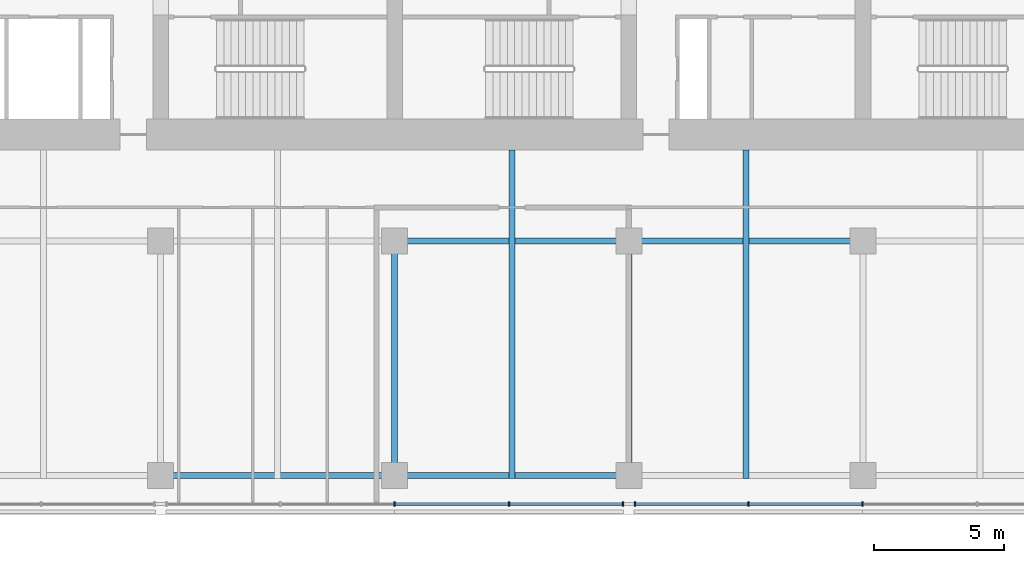
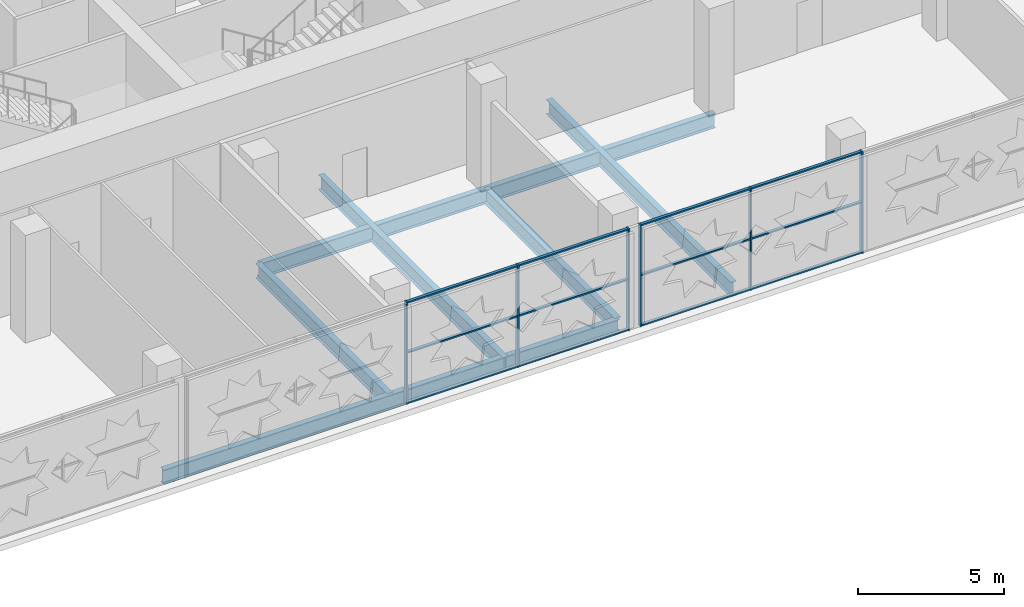
# One storey, part 5 of 21: 18 members, 6 beams, 2 elements without a shape of their own.
"""IFC4 building model written with IfcOpenShell, lengths in metres."""

from ifc_helpers import new_model, si_unit, direction, frame, origin, origin_2d, place, context, subcontext, project, spatial, rectangle, i_section, extrude, material, material_profile, profile_set, type_object, element, aggregate, save


model = new_model("IFC4")

# Units and contexts
model_context = context("Model", 3, precision=1e-05, world=origin(), true_north=direction((0.0, 1.0)))
body_context = subcontext(model_context, "Body", "Model", "MODEL_VIEW")
ifc_project = project(units=[si_unit("LENGTHUNIT", "METRE"), si_unit("AREAUNIT", "SQUARE_METRE"), si_unit("VOLUMEUNIT", "CUBIC_METRE"), si_unit("PLANEANGLEUNIT", "RADIAN"), si_unit("MASSUNIT", "GRAM", prefix="KILO")], contexts=[model_context])

# Site, building, storey
site_placement = place(None, origin())
site = spatial("IfcSite", under=ifc_project, at=site_placement, CompositionType="ELEMENT")
building_placement = place(site_placement, origin())
building = spatial("IfcBuilding", under=site, at=building_placement, Name="Zellij Exchange Tower", CompositionType="ELEMENT")
storey_placement = place(building_placement, frame((0.0, 0.0, 43.5)))
storey = spatial("IfcBuildingStorey", under=building, at=storey_placement, Name="L07", CompositionType="ELEMENT", Elevation=43.5)

# Curtain wall, members
ifc_material_1 = material(Name="Aluminium frame, clear insulating glass", Category="aluminium")
curtain_wall_type = type_object("IfcCurtainWallType", Name="ENV-CW1 Sky-garden glazing", PredefinedType="NOTDEFINED", material=ifc_material_1)
curtain_wall_1_placement = place(storey_placement, origin())
curtain_wall_1 = element("IfcCurtainWall", 1, at=curtain_wall_1_placement, inside=storey, type_object=curtain_wall_type, Name="cw.L07.00b", PredefinedType="NOTDEFINED")
ifc_material_2 = material(Name="Aluminium", Category="aluminium")
ifc_material_profile_1 = material_profile(ifc_material_2, rectangle(XDim=0.06005859375, YDim=0.159912109375, at=origin_2d()), Name="AL 60x160")
ifc_profile_set_1 = profile_set([ifc_material_profile_1], Name="Aluminium")
member_type_1 = type_object("IfcMemberType", Name="ENV-CW1M Mullion 60x160", PredefinedType="MULLION", material=ifc_profile_set_1)
member_1_placement = place(storey_placement, frame((0.0, -27.60009765625, 0.0), z_axis=(0.0, 0.0, 1.0), x_axis=(1.0, 0.0, 0.0)))
member_1 = element("IfcMember", 2, at=member_1_placement, type_object=member_type_1, Name="CW1 mullion 3", PredefinedType="MULLION", context=body_context, shape_type="SweptSolid", body=[
    extrude(rectangle(XDim=0.06005859375, YDim=0.159912109375, at=origin_2d()), origin(), (0.0, 0.0, 1.0), 4.25),
])
member_2_placement = place(storey_placement, frame((4.39990234375, -27.60009765625, 0.0), z_axis=(0.0, 0.0, 1.0), x_axis=(1.0, 0.0, 0.0)))
member_2 = element("IfcMember", 3, at=member_2_placement, type_object=member_type_1, Name="CW1 mullion 4", PredefinedType="MULLION", context=body_context, shape_type="SweptSolid", body=[
    extrude(rectangle(XDim=0.06005859375, YDim=0.159912109375, at=origin_2d()), origin(), (0.0, 0.0, 1.0), 4.25),
])
member_3_placement = place(storey_placement, frame((8.77001953125, -27.60009765625, 0.0), z_axis=(0.0, 0.0, 1.0), x_axis=(1.0, 0.0, 0.0)))
member_3 = element("IfcMember", 4, at=member_3_placement, type_object=member_type_1, Name="CW1 mullion 5", PredefinedType="MULLION", context=body_context, shape_type="SweptSolid", body=[
    extrude(rectangle(XDim=0.06005859375, YDim=0.159912109375, at=origin_2d()), origin(), (0.0, 0.0, 1.0), 4.25),
])

curtain_wall_2_placement = place(storey_placement, origin())
curtain_wall_2 = element("IfcCurtainWall", 5, at=curtain_wall_2_placement, inside=storey, type_object=curtain_wall_type, Name="cw.L07.00c", PredefinedType="NOTDEFINED")
member_4_placement = place(storey_placement, frame((9.22998046875, -27.60009765625, 0.0), z_axis=(0.0, 0.0, 1.0), x_axis=(1.0, 0.0, 0.0)))
member_4 = element("IfcMember", 6, at=member_4_placement, type_object=member_type_1, Name="CW1 mullion 1", PredefinedType="MULLION", context=body_context, shape_type="SweptSolid", body=[
    extrude(rectangle(XDim=0.06005859375, YDim=0.159912109375, at=origin_2d()), origin(), (0.0, 0.0, 1.0), 4.25),
])
member_5_placement = place(storey_placement, frame((13.593505859375, -27.60009765625, 0.0), z_axis=(0.0, 0.0, 1.0), x_axis=(1.0, 0.0, 0.0)))
member_5 = element("IfcMember", 7, at=member_5_placement, type_object=member_type_1, Name="CW1 mullion 2", PredefinedType="MULLION", context=body_context, shape_type="SweptSolid", body=[
    extrude(rectangle(XDim=0.06005859375, YDim=0.159912109375, at=origin_2d()), origin(), (0.0, 0.0, 1.0), 4.25),
])
member_6_placement = place(storey_placement, frame((17.98681640625, -27.60009765625, 0.0), z_axis=(0.0, 0.0, 1.0), x_axis=(1.0, 0.0, 0.0)))
member_6 = element("IfcMember", 8, at=member_6_placement, type_object=member_type_1, Name="CW1 mullion 3", PredefinedType="MULLION", context=body_context, shape_type="SweptSolid", body=[
    extrude(rectangle(XDim=0.06005859375, YDim=0.159912109375, at=origin_2d()), origin(), (0.0, 0.0, 1.0), 4.25),
])

# Member
ifc_material_profile_2 = material_profile(ifc_material_2, rectangle(XDim=0.1201171875, YDim=0.06005859375, at=origin_2d()), Name="AL 120x60")
ifc_profile_set_2 = profile_set([ifc_material_profile_2], Name="Aluminium")
member_type_2 = type_object("IfcMemberType", Name="ENV-CW1T Transom 120x60", PredefinedType="USERDEFINED", material=ifc_profile_set_2)
member_7_placement = place(storey_placement, frame((0.030029296875, -27.60009765625, 0.030029296875), z_axis=(1.0, 0.0, 0.0), x_axis=(0.0, 1.0, 0.0)))
member_7 = element("IfcMember", 9, at=member_7_placement, type_object=member_type_2, Name="CW1 transom 3.1", ObjectType="TRANSOM", PredefinedType="USERDEFINED", context=body_context, shape_type="SweptSolid", body=[
    extrude(rectangle(XDim=0.1201171875, YDim=0.06005859375, at=origin_2d()), origin(), (0.0, 0.0, 1.0), 4.340087890625),
])

member_8_placement = place(storey_placement, frame((0.030029296875, -27.60009765625, 2.125), z_axis=(1.0, 0.0, 0.0), x_axis=(0.0, 1.0, 0.0)))
member_8 = element("IfcMember", 10, at=member_8_placement, type_object=member_type_2, Name="CW1 transom 3.2", ObjectType="TRANSOM", PredefinedType="USERDEFINED", context=body_context, shape_type="SweptSolid", body=[
    extrude(rectangle(XDim=0.1201171875, YDim=0.06005859375, at=origin_2d()), origin(), (0.0, 0.0, 1.0), 4.340087890625),
])

member_9_placement = place(storey_placement, frame((0.030029296875, -27.60009765625, 4.219970703125), z_axis=(1.0, 0.0, 0.0), x_axis=(0.0, 1.0, 0.0)))
member_9 = element("IfcMember", 11, at=member_9_placement, type_object=member_type_2, Name="CW1 transom 3.3", ObjectType="TRANSOM", PredefinedType="USERDEFINED", context=body_context, shape_type="SweptSolid", body=[
    extrude(rectangle(XDim=0.1201171875, YDim=0.06005859375, at=origin_2d()), origin(), (0.0, 0.0, 1.0), 4.340087890625),
])

member_10_placement = place(storey_placement, frame((4.429931640625, -27.60009765625, 0.030029296875), z_axis=(1.0, 0.0, 0.0), x_axis=(0.0, 1.0, 0.0)))
member_10 = element("IfcMember", 12, at=member_10_placement, type_object=member_type_2, Name="CW1 transom 4.1", ObjectType="TRANSOM", PredefinedType="USERDEFINED", context=body_context, shape_type="SweptSolid", body=[
    extrude(rectangle(XDim=0.1201171875, YDim=0.06005859375, at=origin_2d()), origin(), (0.0, 0.0, 1.0), 4.31005859375),
])

member_11_placement = place(storey_placement, frame((4.429931640625, -27.60009765625, 2.125), z_axis=(1.0, 0.0, 0.0), x_axis=(0.0, 1.0, 0.0)))
member_11 = element("IfcMember", 13, at=member_11_placement, type_object=member_type_2, Name="CW1 transom 4.2", ObjectType="TRANSOM", PredefinedType="USERDEFINED", context=body_context, shape_type="SweptSolid", body=[
    extrude(rectangle(XDim=0.1201171875, YDim=0.06005859375, at=origin_2d()), origin(), (0.0, 0.0, 1.0), 4.31005859375),
])

member_12_placement = place(storey_placement, frame((4.429931640625, -27.60009765625, 4.219970703125), z_axis=(1.0, 0.0, 0.0), x_axis=(0.0, 1.0, 0.0)))
member_12 = element("IfcMember", 14, at=member_12_placement, type_object=member_type_2, Name="CW1 transom 4.3", ObjectType="TRANSOM", PredefinedType="USERDEFINED", context=body_context, shape_type="SweptSolid", body=[
    extrude(rectangle(XDim=0.1201171875, YDim=0.06005859375, at=origin_2d()), origin(), (0.0, 0.0, 1.0), 4.31005859375),
])

aggregate(curtain_wall_1, [member_1, member_2, member_3, member_7, member_8, member_9, member_10, member_11, member_12])

member_13_placement = place(storey_placement, frame((9.260009765625, -27.60009765625, 0.030029296875), z_axis=(1.0, 0.0, 0.0), x_axis=(0.0, 1.0, 0.0)))
member_13 = element("IfcMember", 15, at=member_13_placement, type_object=member_type_2, Name="CW1 transom 1.1", ObjectType="TRANSOM", PredefinedType="USERDEFINED", context=body_context, shape_type="SweptSolid", body=[
    extrude(rectangle(XDim=0.1201171875, YDim=0.06005859375, at=origin_2d()), origin(), (0.0, 0.0, 1.0), 4.303466796875),
])

member_14_placement = place(storey_placement, frame((9.260009765625, -27.60009765625, 2.125), z_axis=(1.0, 0.0, 0.0), x_axis=(0.0, 1.0, 0.0)))
member_14 = element("IfcMember", 16, at=member_14_placement, type_object=member_type_2, Name="CW1 transom 1.2", ObjectType="TRANSOM", PredefinedType="USERDEFINED", context=body_context, shape_type="SweptSolid", body=[
    extrude(rectangle(XDim=0.1201171875, YDim=0.06005859375, at=origin_2d()), origin(), (0.0, 0.0, 1.0), 4.303466796875),
])

member_15_placement = place(storey_placement, frame((9.260009765625, -27.60009765625, 4.219970703125), z_axis=(1.0, 0.0, 0.0), x_axis=(0.0, 1.0, 0.0)))
member_15 = element("IfcMember", 17, at=member_15_placement, type_object=member_type_2, Name="CW1 transom 1.3", ObjectType="TRANSOM", PredefinedType="USERDEFINED", context=body_context, shape_type="SweptSolid", body=[
    extrude(rectangle(XDim=0.1201171875, YDim=0.06005859375, at=origin_2d()), origin(), (0.0, 0.0, 1.0), 4.303466796875),
])

member_16_placement = place(storey_placement, frame((13.62353515625, -27.60009765625, 0.030029296875), z_axis=(1.0, 0.0, 0.0), x_axis=(0.0, 1.0, 0.0)))
member_16 = element("IfcMember", 18, at=member_16_placement, type_object=member_type_2, Name="CW1 transom 2.1", ObjectType="TRANSOM", PredefinedType="USERDEFINED", context=body_context, shape_type="SweptSolid", body=[
    extrude(rectangle(XDim=0.1201171875, YDim=0.06005859375, at=origin_2d()), origin(), (0.0, 0.0, 1.0), 4.333251953125),
])

member_17_placement = place(storey_placement, frame((13.62353515625, -27.60009765625, 2.125), z_axis=(1.0, 0.0, 0.0), x_axis=(0.0, 1.0, 0.0)))
member_17 = element("IfcMember", 19, at=member_17_placement, type_object=member_type_2, Name="CW1 transom 2.2", ObjectType="TRANSOM", PredefinedType="USERDEFINED", context=body_context, shape_type="SweptSolid", body=[
    extrude(rectangle(XDim=0.1201171875, YDim=0.06005859375, at=origin_2d()), origin(), (0.0, 0.0, 1.0), 4.333251953125),
])

member_18_placement = place(storey_placement, frame((13.62353515625, -27.60009765625, 4.219970703125), z_axis=(1.0, 0.0, 0.0), x_axis=(0.0, 1.0, 0.0)))
member_18 = element("IfcMember", 20, at=member_18_placement, type_object=member_type_2, Name="CW1 transom 2.3", ObjectType="TRANSOM", PredefinedType="USERDEFINED", context=body_context, shape_type="SweptSolid", body=[
    extrude(rectangle(XDim=0.1201171875, YDim=0.06005859375, at=origin_2d()), origin(), (0.0, 0.0, 1.0), 4.333251953125),
])

aggregate(curtain_wall_2, [member_4, member_5, member_6, member_13, member_14, member_15, member_16, member_17, member_18])

# Beams
ifc_material_3 = material(Name="Structural steel ASTM A992 Gr 50", Category="steel")
ifc_material_profile_3 = material_profile(ifc_material_3, i_section(OverallWidth=0.22900390625, OverallDepth=0.612060546875, WebThickness=0.011962890625, FlangeThickness=0.01953125, at=origin_2d()), Name="W24x84")
ifc_profile_set_3 = profile_set([ifc_material_profile_3], Name="Structural steel ASTM A992 Gr 50")
beam_type_1 = type_object("IfcBeamType", Name="STR-BEAM W24x84", PredefinedType="BEAM", material=ifc_profile_set_3)
for number, where, z_axis, x_axis, name in (
    (21, (4.5, -26.614501953125, -0.55615234375), (0.0, 1.0, 0.0), (-1.0, 0.0, 0.0), "B6"),
    (22, (13.5, -26.614501953125, -0.55615234375), (0.0, 1.0, 0.0), (-1.0, 0.0, 0.0), "B6"),
):
    element("IfcBeam", number, at=place(storey_placement, frame(where, z_axis=z_axis, x_axis=x_axis)), inside=storey, type_object=beam_type_1, Name=name, PredefinedType="BEAM", context=body_context, shape_type="SweptSolid", body=[
        extrude(i_section(OverallWidth=0.22900390625, OverallDepth=0.612060546875, WebThickness=0.011962890625, FlangeThickness=0.01953125, at=origin_2d()), origin(), (0.0, 0.0, 1.0), 12.614501953125),
    ])
ifc_material_profile_4 = material_profile(ifc_material_3, i_section(OverallWidth=0.22900390625, OverallDepth=0.612060546875, WebThickness=0.011962890625, FlangeThickness=0.01953125, at=origin_2d()), Name="W24x84")
ifc_profile_set_4 = profile_set([ifc_material_profile_4], Name="Structural steel ASTM A992 Gr 50")
beam_type_2 = type_object("IfcBeamType", Name="STR-GIRDER W24x84", PredefinedType="BEAM", material=ifc_profile_set_4)
for number, where, z_axis, x_axis, name in (
    (23, (-9.0, -26.5, -0.55615234375), (1.0, 0.0, 0.0), (0.0, 1.0, 0.0), "G4"),
    (24, (0.0, -17.5, -0.55615234375), (1.0, 0.0, 0.0), (0.0, 1.0, 0.0), "G4"),
):
    element("IfcBeam", number, at=place(storey_placement, frame(where, z_axis=z_axis, x_axis=x_axis)), inside=storey, type_object=beam_type_2, Name=name, PredefinedType="BEAM", context=body_context, shape_type="SweptSolid", body=[
        extrude(i_section(OverallWidth=0.22900390625, OverallDepth=0.612060546875, WebThickness=0.011962890625, FlangeThickness=0.01953125, at=origin_2d()), origin(), (0.0, 0.0, 1.0), 18.0),
    ])
for number, where, z_axis, x_axis, name in (
    (25, (0.0, -26.5, -0.55615234375), (0.0, 1.0, 0.0), (-1.0, 0.0, 0.0), "G4"),
    (26, (9.0, -26.5, -0.55615234375), (0.0, 1.0, 0.0), (-1.0, 0.0, 0.0), "G4"),
):
    element("IfcBeam", number, at=place(storey_placement, frame(where, z_axis=z_axis, x_axis=x_axis)), inside=storey, type_object=beam_type_2, Name=name, PredefinedType="BEAM", context=body_context, shape_type="SweptSolid", body=[
        extrude(i_section(OverallWidth=0.22900390625, OverallDepth=0.612060546875, WebThickness=0.011962890625, FlangeThickness=0.01953125, at=origin_2d()), origin(), (0.0, 0.0, 1.0), 9.0),
    ])

save(model, "model.ifc")
